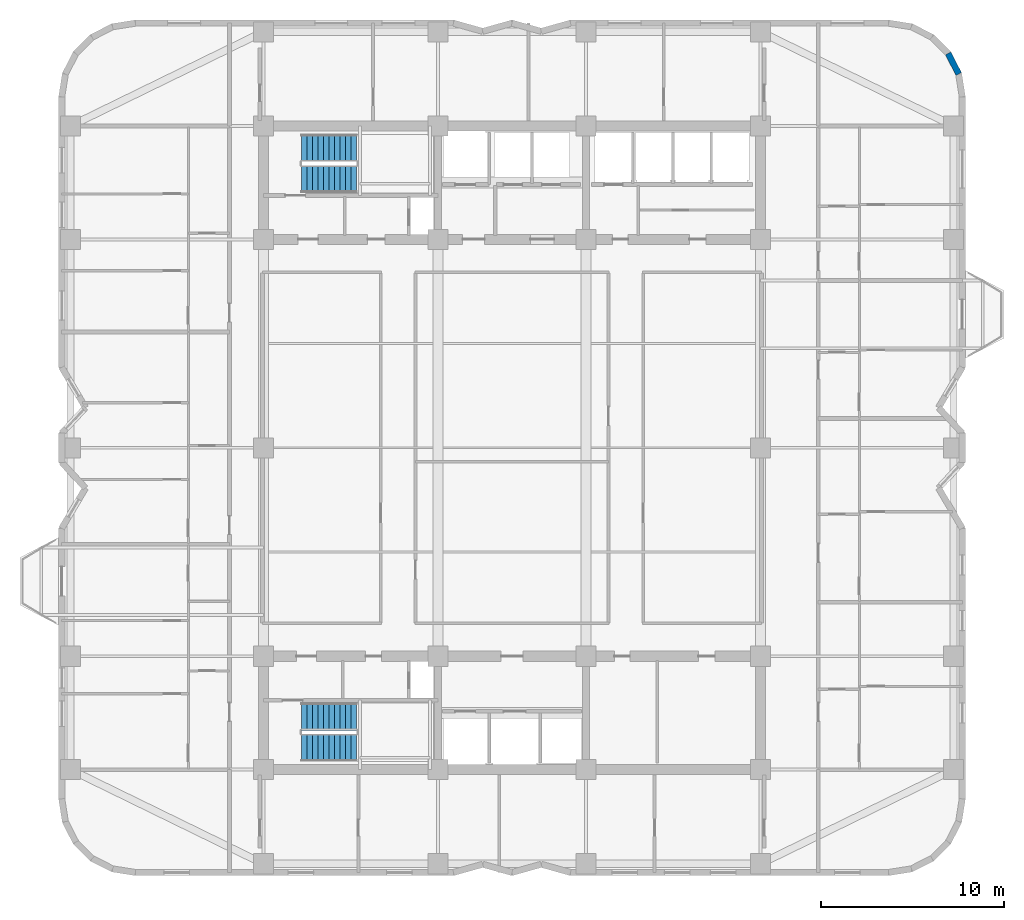
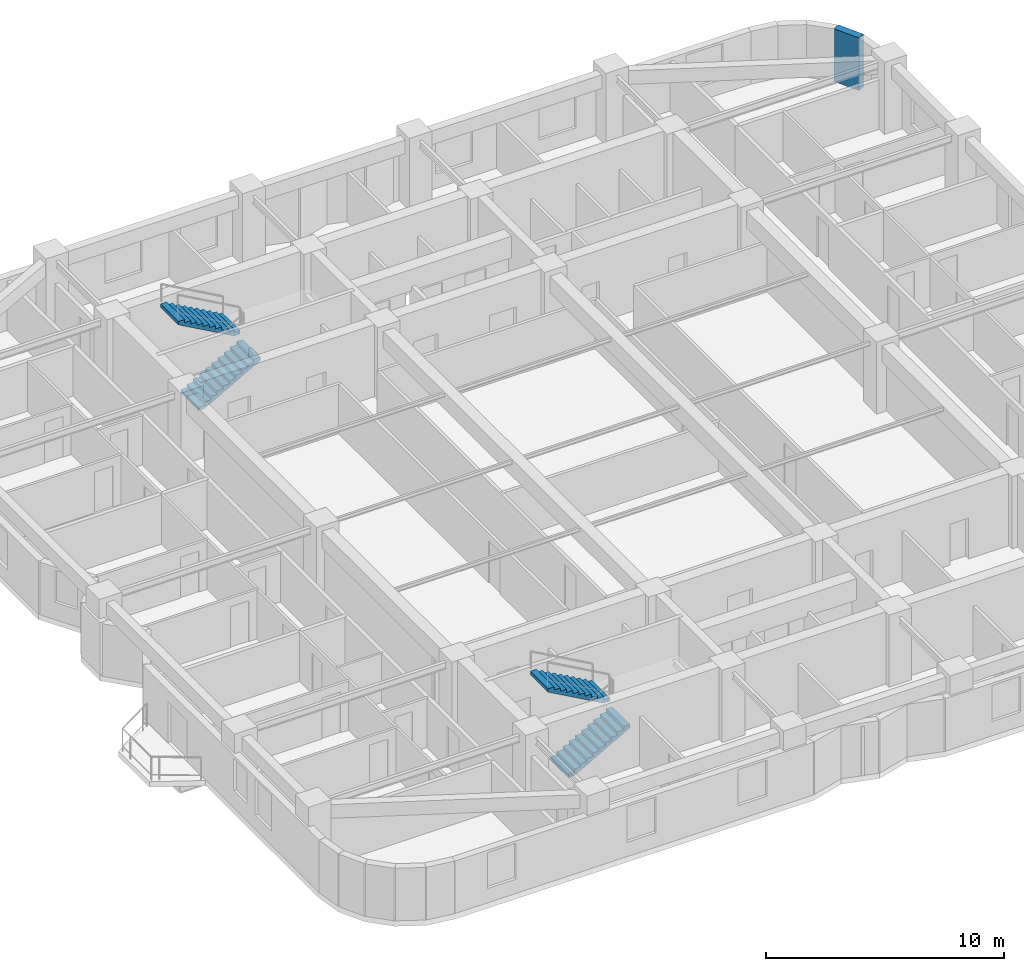
# One storey, part 8 of 10: 4 stair flights, 1 wall, 2 elements without a shape of their own.
"""IFC4 building model written with IfcOpenShell, lengths in metres."""

from ifc_helpers import new_model, si_unit, direction, frame, frame_2d, origin, place, context, subcontext, project, spatial, polyline, rectangle, outline, extrude, material, layer, layer_set, type_object, element, aggregate, save


model = new_model("IFC4")

# Units and contexts
model_context = context("Model", 3, precision=1e-05, world=origin(), true_north=direction((0.0, 1.0)))
body_context = subcontext(model_context, "Body", "Model", "MODEL_VIEW")
ifc_project = project(units=[si_unit("LENGTHUNIT", "METRE"), si_unit("AREAUNIT", "SQUARE_METRE"), si_unit("VOLUMEUNIT", "CUBIC_METRE"), si_unit("PLANEANGLEUNIT", "RADIAN"), si_unit("MASSUNIT", "GRAM", prefix="KILO")], contexts=[model_context])

# Site, building, storey
site_placement = place(None, origin())
site = spatial("IfcSite", under=ifc_project, at=site_placement, CompositionType="ELEMENT")
building_placement = place(site_placement, origin())
building = spatial("IfcBuilding", under=site, at=building_placement, Name="Svetorya Sky Lyceum", CompositionType="ELEMENT")
storey_placement = place(building_placement, frame((0.0, 0.0, 110.5)))
storey = spatial("IfcBuildingStorey", under=building, at=storey_placement, Name="L27", CompositionType="ELEMENT", Elevation=110.5)

# Wall
ifc_material_1 = material(Name="Putilovo limestone rainscreen on autoclaved cellular masonry", Category="masonry")
ifc_layer = layer(ifc_material_1, 0.340087890625)
ifc_layer_set = layer_set([ifc_layer], Name="Putilovo limestone rainscreen on autoclaved cellular masonry")
wall_type = type_object("IfcWallType", Name="WL-EXT-340", PredefinedType="SOLIDWALL", material=ifc_layer_set)
wall_placement = place(storey_placement, frame((63.6328125, 48.645263671875, 0.0), z_axis=(0.0, 0.0, 1.0), x_axis=(-0.454015689056, 0.890993689142, 0.0)))
element("IfcWall", 1, at=wall_placement, inside=storey, type_object=wall_type, Name="L27 Limestone Exterior Wall 25M", PredefinedType="SOLIDWALL", context=body_context, shape_type="SweptSolid", body=[
    extrude(rectangle(XDim=1.260986328125, YDim=0.340087890625, at=frame_2d((0.63037109375, 0.0))), origin(), (0.0, 0.0, 1.0), 2.699951171875),
])

# Stair, stair flights
ifc_material_2 = material(Name="Concrete C40/50", Category="concrete")
stair_type_1 = type_object("IfcStairType", Name="STR-ST-N", PredefinedType="HALF_TURN_STAIR", material=ifc_material_2)
stair_1_placement = place(storey_placement, origin())
stair_1 = element("IfcStair", 2, at=stair_1_placement, inside=storey, type_object=stair_type_1, Name="L27 North Core Smoke-Free Exit Stair N3", PredefinedType="HALF_TURN_STAIR")
stair_flight_type_1 = type_object("IfcStairFlightType", Name="SFL-ST-N", PredefinedType="STRAIGHT", material=ifc_material_2)
stair_flight_1_placement = place(storey_placement, frame((27.699951171875, 42.89990234375, 0.0), z_axis=(0.0, 0.0, 1.0), x_axis=(1.0, 0.0, 0.0)))
stair_flight_1 = element("IfcStairFlight", 3, at=stair_flight_1_placement, type_object=stair_flight_type_1, Name="ST-N flight 1", NumberOfRisers=11, NumberOfTreads=10, PredefinedType="STRAIGHT", RiserHeight=0.168181818, TreadLength=0.3, context=body_context, shape_type="SweptSolid", body=[
    extrude(outline(polyline([(0.0, 0.0), (0.0, 0.168212890625), (0.300048828125, 0.168212890625), (0.300048828125, 0.33642578125), (0.60009765625, 0.33642578125), (0.60009765625, 0.504638671875), (0.89990234375, 0.504638671875), (0.89990234375, 0.672607421875), (1.199951171875, 0.672607421875), (1.199951171875, 0.8408203125), (1.5, 0.8408203125), (1.5, 1.009033203125), (1.800048828125, 1.009033203125), (1.800048828125, 1.17724609375), (2.10009765625, 1.17724609375), (2.10009765625, 1.345458984375), (2.39990234375, 1.345458984375), (2.39990234375, 1.513671875), (2.699951171875, 1.513671875), (2.699951171875, 1.681884765625), (3.0, 1.681884765625), (3.0, 1.85009765625), (3.0, 1.510009765625), (0.306640625, 0.0), (0.0, 0.0)])), frame((0.0, 0.75, 0.0), z_axis=(0.0, -1.0, 0.0), x_axis=(1.0, 0.0, 0.0)), (0.0, 0.0, 1.0), 1.5),
])
stair_flight_2_placement = place(storey_placement, frame((30.699951171875, 44.60009765625, 1.85009765625), z_axis=(0.0, 0.0, 1.0), x_axis=(-1.0, 0.0, 0.0)))
stair_flight_2 = element("IfcStairFlight", 4, at=stair_flight_2_placement, type_object=stair_flight_type_1, Name="ST-N flight 2", NumberOfRisers=11, NumberOfTreads=10, PredefinedType="STRAIGHT", RiserHeight=0.168181818, TreadLength=0.3, context=body_context, shape_type="SweptSolid", body=[
    extrude(outline(polyline([(0.0, 0.0), (0.0, 0.168212890625), (0.300048828125, 0.168212890625), (0.300048828125, 0.33642578125), (0.60009765625, 0.33642578125), (0.60009765625, 0.504638671875), (0.89990234375, 0.504638671875), (0.89990234375, 0.672607421875), (1.199951171875, 0.672607421875), (1.199951171875, 0.8408203125), (1.5, 0.8408203125), (1.5, 1.009033203125), (1.800048828125, 1.009033203125), (1.800048828125, 1.17724609375), (2.10009765625, 1.17724609375), (2.10009765625, 1.345458984375), (2.39990234375, 1.345458984375), (2.39990234375, 1.513671875), (2.699951171875, 1.513671875), (2.699951171875, 1.681884765625), (3.0, 1.681884765625), (3.0, 1.85009765625), (3.0, 1.510009765625), (0.306640625, 0.0), (0.0, 0.0)])), frame((0.0, 0.75, 0.0), z_axis=(0.0, -1.0, 0.0), x_axis=(1.0, 0.0, 0.0)), (0.0, 0.0, 1.0), 1.5),
])
aggregate(stair_1, [stair_flight_1, stair_flight_2])

stair_type_2 = type_object("IfcStairType", Name="STR-ST-S", PredefinedType="HALF_TURN_STAIR", material=ifc_material_2)
stair_2_placement = place(storey_placement, origin())
stair_2 = element("IfcStair", 5, at=stair_2_placement, inside=storey, type_object=stair_type_2, Name="L27 South Core Smoke-Free Exit Stair N2", PredefinedType="HALF_TURN_STAIR")
stair_flight_type_2 = type_object("IfcStairFlightType", Name="SFL-ST-S", PredefinedType="STRAIGHT", material=ifc_material_2)
stair_flight_3_placement = place(storey_placement, frame((27.699951171875, 11.800048828125, 0.0), z_axis=(0.0, 0.0, 1.0), x_axis=(1.0, 0.0, 0.0)))
stair_flight_3 = element("IfcStairFlight", 6, at=stair_flight_3_placement, type_object=stair_flight_type_2, Name="ST-S flight 1", NumberOfRisers=11, NumberOfTreads=10, PredefinedType="STRAIGHT", RiserHeight=0.168181818, TreadLength=0.3, context=body_context, shape_type="SweptSolid", body=[
    extrude(outline(polyline([(0.0, 0.0), (0.0, 0.168212890625), (0.300048828125, 0.168212890625), (0.300048828125, 0.33642578125), (0.60009765625, 0.33642578125), (0.60009765625, 0.504638671875), (0.89990234375, 0.504638671875), (0.89990234375, 0.672607421875), (1.199951171875, 0.672607421875), (1.199951171875, 0.8408203125), (1.5, 0.8408203125), (1.5, 1.009033203125), (1.800048828125, 1.009033203125), (1.800048828125, 1.17724609375), (2.10009765625, 1.17724609375), (2.10009765625, 1.345458984375), (2.39990234375, 1.345458984375), (2.39990234375, 1.513671875), (2.699951171875, 1.513671875), (2.699951171875, 1.681884765625), (3.0, 1.681884765625), (3.0, 1.85009765625), (3.0, 1.510009765625), (0.306640625, 0.0), (0.0, 0.0)])), frame((0.0, 0.75, 0.0), z_axis=(0.0, -1.0, 0.0), x_axis=(1.0, 0.0, 0.0)), (0.0, 0.0, 1.0), 1.5),
])
stair_flight_4_placement = place(storey_placement, frame((30.699951171875, 13.5, 1.85009765625), z_axis=(0.0, 0.0, 1.0), x_axis=(-1.0, 0.0, 0.0)))
stair_flight_4 = element("IfcStairFlight", 7, at=stair_flight_4_placement, type_object=stair_flight_type_2, Name="ST-S flight 2", NumberOfRisers=11, NumberOfTreads=10, PredefinedType="STRAIGHT", RiserHeight=0.168181818, TreadLength=0.3, context=body_context, shape_type="SweptSolid", body=[
    extrude(outline(polyline([(0.0, 0.0), (0.0, 0.168212890625), (0.300048828125, 0.168212890625), (0.300048828125, 0.33642578125), (0.60009765625, 0.33642578125), (0.60009765625, 0.504638671875), (0.89990234375, 0.504638671875), (0.89990234375, 0.672607421875), (1.199951171875, 0.672607421875), (1.199951171875, 0.8408203125), (1.5, 0.8408203125), (1.5, 1.009033203125), (1.800048828125, 1.009033203125), (1.800048828125, 1.17724609375), (2.10009765625, 1.17724609375), (2.10009765625, 1.345458984375), (2.39990234375, 1.345458984375), (2.39990234375, 1.513671875), (2.699951171875, 1.513671875), (2.699951171875, 1.681884765625), (3.0, 1.681884765625), (3.0, 1.85009765625), (3.0, 1.510009765625), (0.306640625, 0.0), (0.0, 0.0)])), frame((0.0, 0.75, 0.0), z_axis=(0.0, -1.0, 0.0), x_axis=(1.0, 0.0, 0.0)), (0.0, 0.0, 1.0), 1.5),
])
aggregate(stair_2, [stair_flight_3, stair_flight_4])

save(model, "model.ifc")
